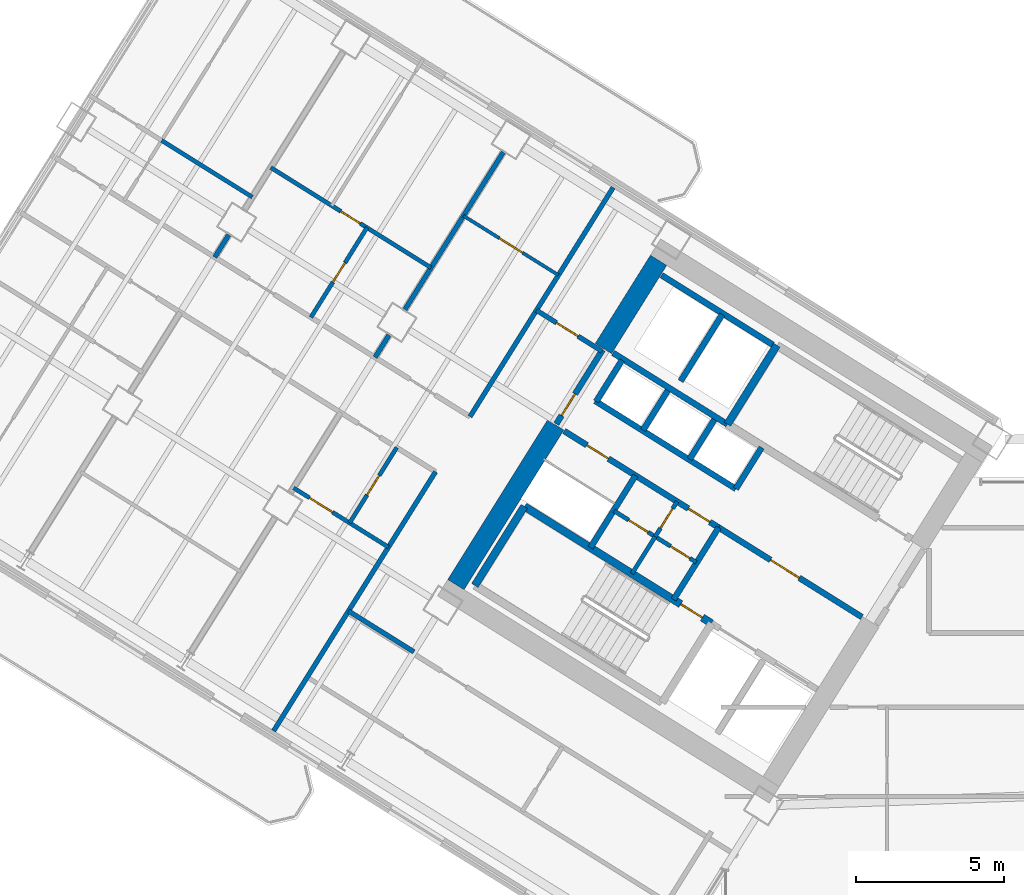
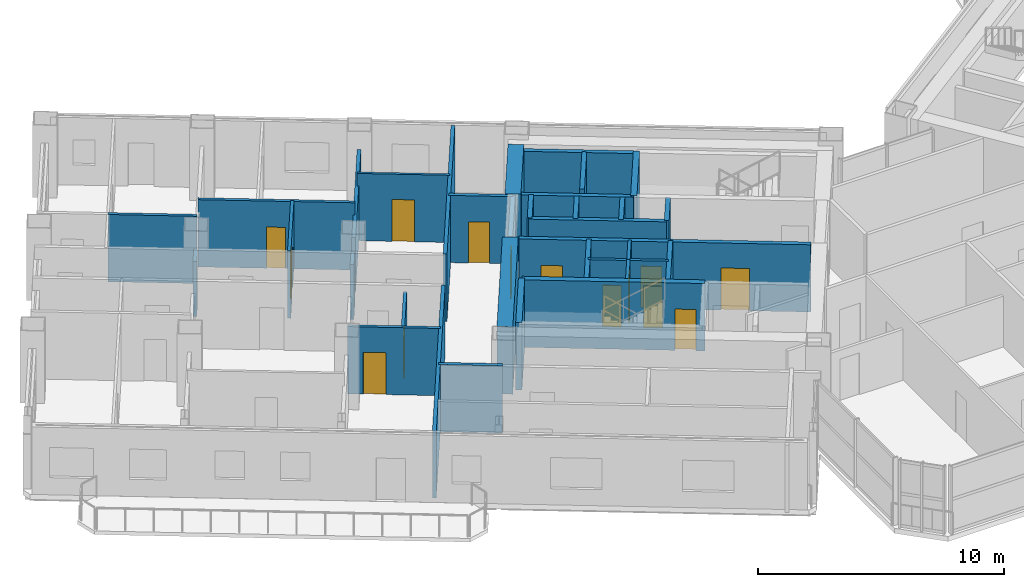
# One storey, part 16 of 28: 34 walls, 14 doors, 14 openings.
"""IFC4 building model written with IfcOpenShell, lengths in metres."""

from ifc_helpers import new_model, si_unit, direction, frame, frame_2d, origin, place, context, subcontext, project, spatial, rectangle, extrude, source, transform, mapped, material, layer, layer_set, type_object, element, fill, save


model = new_model("IFC4")

# Units and contexts
model_context = context("Model", 3, precision=1e-05, world=origin(), true_north=direction((0.0, 1.0)))
body_context = subcontext(model_context, "Body", "Model", "MODEL_VIEW")
ifc_project = project(units=[si_unit("LENGTHUNIT", "METRE"), si_unit("AREAUNIT", "SQUARE_METRE"), si_unit("VOLUMEUNIT", "CUBIC_METRE"), si_unit("PLANEANGLEUNIT", "RADIAN"), si_unit("MASSUNIT", "GRAM", prefix="KILO")], contexts=[model_context])

# Site, building, storey
site_placement = place(None, origin())
site = spatial("IfcSite", under=ifc_project, at=site_placement, CompositionType="ELEMENT")
building_placement = place(site_placement, origin())
building = spatial("IfcBuilding", under=site, at=building_placement, Name="Tlacorven Tower", CompositionType="ELEMENT")
storey_placement = place(building_placement, frame((0.0, 0.0, 49.199951171875)))
storey = spatial("IfcBuildingStorey", under=building, at=storey_placement, Name="L12", CompositionType="ELEMENT", Elevation=49.199951171875)

# Walls
ifc_material_1 = material(Name="Concrete C60/75", Category="concrete")
ifc_layer_1 = layer(ifc_material_1, 0.64990234375)
ifc_layer_set_1 = layer_set([ifc_layer_1], Name="Concrete C60/75")
wall_type_1 = type_object("IfcWallType", Name="WL-COR-650", PredefinedType="SHEAR", material=ifc_layer_set_1)
wall_1_placement = place(storey_placement, frame((29.49072265625, 30.5517578125, 0.0), z_axis=(0.0, 0.0, 1.0), x_axis=(-0.529893103397, -0.8480644427, 0.0)))
element("IfcWall", 1, at=wall_1_placement, inside=storey, type_object=wall_type_1, Name="L12 W core end wall E2.1", PredefinedType="SHEAR", context=body_context, shape_type="SweptSolid", body=[
    extrude(rectangle(XDim=3.525146484375, YDim=0.64990234375, at=frame_2d((1.7626953125, 0.0))), origin(), (0.0, 0.0, 1.0), 3.35009765625),
])
wall_2_placement = place(storey_placement, frame((26.006591796875, 24.975830078125, 0.0), z_axis=(0.0, 0.0, 1.0), x_axis=(-0.529916319127, -0.848049936456, 0.0)))
element("IfcWall", 2, at=wall_2_placement, inside=storey, type_object=wall_type_1, Name="L12 W core end wall E2.2", PredefinedType="SHEAR", context=body_context, shape_type="SweptSolid", body=[
    extrude(rectangle(XDim=6.375, YDim=0.64990234375, at=frame_2d((3.1875, 0.0))), origin(), (0.0, 0.0, 1.0), 3.35009765625),
])

# Wall, opening, door
ifc_material_2 = material(Name="Gypsum plasterboard acoustic partition", Category="gypsum")
ifc_layer_2 = layer(ifc_material_2, 0.159912109375)
ifc_layer_set_2 = layer_set([ifc_layer_2], Name="Gypsum plasterboard acoustic partition")
wall_type_2 = type_object("IfcWallType", Name="WL-DEM-160", PredefinedType="PARTITIONING", material=ifc_layer_set_2)
wall_3_placement = place(storey_placement, frame((27.56982421875, 27.4775390625, 0.0), z_axis=(0.0, 0.0, 1.0), x_axis=(-0.848050851465, 0.529914854792, 0.0)))
wall_3 = element("IfcWall", 3, at=wall_3_placement, inside=storey, type_object=wall_type_2, Name="L12 partition 49", PredefinedType="PARTITIONING", context=body_context, shape_type="SweptSolid", body=[
    extrude(rectangle(XDim=2.60986328125, YDim=0.159912109375, at=frame_2d((1.304931640625, 0.0))), origin(), (0.0, 0.0, 1.0), 3.340087890625),
])
opening_1_placement = place(wall_3_placement, frame((0.949951171875, 0.0, 0.0)))
opening_1 = element("IfcOpeningElement", 4, at=opening_1_placement, cuts=wall_3, Name="Opening D19", PredefinedType="OPENING", context=body_context, shape_type="SweptSolid", body=[
    extrude(rectangle(XDim=0.860107421875, YDim=2.050048828125, at=frame_2d((0.43017578125, 1.02490234375))), frame((0.0, 0.08984375, 0.0), z_axis=(0.0, -1.0, 0.0), x_axis=(1.0, 0.0, 0.0)), (0.0, 0.0, 1.0), 0.179931640625),
])
ifc_material_3 = material(Name="Fire-rated steel door assembly", Category="steel")
door_type_1 = type_object("IfcDoorType", Name="DR-RSR-FD60-0860", OperationType="NOTDEFINED", PredefinedType="DOOR", material=ifc_material_3)
shared_shape_1 = source(origin(), body_context, "Body", "SweptSolid", [
    extrude(rectangle(XDim=0.860107421875, YDim=2.050048828125, at=frame_2d((0.43017578125, 1.02490234375))), frame((0.0, 0.02490234375, 0.0), z_axis=(0.0, -1.0, 0.0), x_axis=(1.0, 0.0, 0.0)), (0.0, 0.0, 1.0), 0.050048828125),
])
door_1_placement = place(opening_1_placement, frame((0.860107421875, 0.0, 0.0), z_axis=(0.0, 0.0, 1.0), x_axis=(-1.0, 0.0, 0.0)))
door_1 = element("IfcDoor", 5, at=door_1_placement, inside=storey, type_object=door_type_1, Name="L12 door 021", OperationType="SINGLE_SWING_RIGHT", OverallHeight=2.050048828125, OverallWidth=0.860107421875, PredefinedType="DOOR", context=body_context, shape_type="MappedRepresentation", body=[
    mapped(shared_shape_1, transform((0.0, 0.0, 0.0), scale=1.0)),
])
fill(opening_1, door_1)

# Walls
wall_4_placement = place(storey_placement, frame((21.20556640625, 17.29248046875, 0.0), z_axis=(0.0, 0.0, 1.0), x_axis=(-0.848050851465, 0.529914854792, 0.0)))
element("IfcWall", 6, at=wall_4_placement, inside=storey, type_object=wall_type_2, Name="L12 partition 50", PredefinedType="PARTITIONING", context=body_context, shape_type="SweptSolid", body=[
    extrude(rectangle(XDim=2.60986328125, YDim=0.159912109375, at=frame_2d((1.304931640625, 0.0))), origin(), (0.0, 0.0, 1.0), 3.340087890625),
])
wall_5_placement = place(storey_placement, frame((27.952880859375, 33.01611328125, 0.0), z_axis=(0.0, 0.0, 1.0), x_axis=(-0.529903001606, -0.848058257957, 0.0)))
element("IfcWall", 7, at=wall_5_placement, inside=storey, type_object=wall_type_2, Name="L12 partition 51", PredefinedType="PARTITIONING", context=body_context, shape_type="SweptSolid", body=[
    extrude(rectangle(XDim=9.150146484375, YDim=0.159912109375, at=frame_2d((4.5751953125, 0.0))), origin(), (0.0, 0.0, 1.0), 3.340087890625),
])
wall_6_placement = place(storey_placement, frame((21.9384765625, 23.390625, 0.0), z_axis=(0.0, 0.0, 1.0), x_axis=(-0.529924725692, -0.848044683434, 0.0)))
element("IfcWall", 8, at=wall_6_placement, inside=storey, type_object=wall_type_2, Name="L12 partition 52", PredefinedType="PARTITIONING", context=body_context, shape_type="SweptSolid", body=[
    extrude(rectangle(XDim=10.349853515625, YDim=0.159912109375, at=frame_2d((5.1748046875, 0.0))), origin(), (0.0, 0.0, 1.0), 3.340087890625),
])
wall_7_placement = place(storey_placement, frame((24.22900390625, 34.208740234375, 0.0), z_axis=(0.0, 0.0, 1.0), x_axis=(-0.529897533635, -0.848061674554, 0.0)))
element("IfcWall", 9, at=wall_7_placement, inside=storey, type_object=wall_type_2, Name="L12 WS Demising Wall 1", PredefinedType="PARTITIONING", context=body_context, shape_type="SweptSolid", body=[
    extrude(rectangle(XDim=6.276123046875, YDim=0.159912109375, at=frame_2d((3.13818359375, 0.0))), origin(), (0.0, 0.0, 1.0), 2.72509765625),
])
for number, where, z_axis, x_axis, name in (
    (10, (20.360595703125, 28.017822265625, 0.0), (0.0, 0.0, 1.0), (-0.529900064649, -0.848060093086, 0.0), "L12 WS Demising Wall 1"),
    (11, (14.93310546875, 31.409423828125, 0.0), (0.0, 0.0, 1.0), (-0.529776512202, -0.848137280821, 0.0), "L12 WS Demising Wall 2"),
):
    element("IfcWall", number, at=place(storey_placement, frame(where, z_axis=z_axis, x_axis=x_axis)), inside=storey, type_object=wall_type_2, Name=name, PredefinedType="PARTITIONING", context=body_context, shape_type="SweptSolid", body=[
        extrude(rectangle(XDim=0.887939453125, YDim=0.159912109375, at=frame_2d((0.44384765625, 0.0))), origin(), (0.0, 0.0, 1.0), 2.72509765625),
    ])

# Wall, opening, door
ifc_material_4 = material(Name="Gypsum plasterboard partition", Category="gypsum")
ifc_layer_3 = layer(ifc_material_4, 0.110107421875)
ifc_layer_set_3 = layer_set([ifc_layer_3], Name="Gypsum plasterboard partition")
wall_type_3 = type_object("IfcWallType", Name="WL-INT-110", PredefinedType="PARTITIONING", material=ifc_layer_set_3)
wall_8_placement = place(storey_placement, frame((26.099365234375, 30.049560546875, 0.0), z_axis=(0.0, 0.0, 1.0), x_axis=(-0.84803087207, 0.529946827537, 0.0)))
wall_8 = element("IfcWall", 12, at=wall_8_placement, inside=storey, type_object=wall_type_3, Name="L12 partition 66", PredefinedType="PARTITIONING", context=body_context, shape_type="SweptSolid", body=[
    extrude(rectangle(XDim=3.7900390625, YDim=0.110107421875, at=frame_2d((1.89501953125, 0.0))), origin(), (0.0, 0.0, 1.0), 3.340087890625),
])
opening_2_placement = place(wall_8_placement, frame((1.43505859375, 0.0, 0.0)))
opening_2 = element("IfcOpeningElement", 13, at=opening_2_placement, cuts=wall_8, Name="Opening D12", PredefinedType="OPENING", context=body_context, shape_type="SweptSolid", body=[
    extrude(rectangle(XDim=0.919921875, YDim=2.080078125, at=frame_2d((0.4599609375, 1.0400390625))), frame((0.0, 0.06494140625, 0.0), z_axis=(0.0, -1.0, 0.0), x_axis=(1.0, 0.0, 0.0)), (0.0, 0.0, 1.0), 0.130126953125),
])
ifc_material_5 = material(Name="Powder-coated aluminium and timber door", Category="wood")
door_type_2 = type_object("IfcDoorType", Name="DR-INT-ROOM-0920", OperationType="NOTDEFINED", PredefinedType="DOOR", material=ifc_material_5)
shared_shape_2 = source(origin(), body_context, "Body", "SweptSolid", [
    extrude(rectangle(XDim=0.919921875, YDim=2.080078125, at=frame_2d((0.4599609375, 1.0400390625))), frame((0.0, 0.02490234375, 0.0), z_axis=(0.0, -1.0, 0.0), x_axis=(1.0, 0.0, 0.0)), (0.0, 0.0, 1.0), 0.050048828125),
])
door_2_placement = place(opening_2_placement, origin())
door_2 = element("IfcDoor", 14, at=door_2_placement, inside=storey, type_object=door_type_2, Name="L12 door 034", OperationType="SINGLE_SWING_RIGHT", OverallHeight=2.080078125, OverallWidth=0.919921875, PredefinedType="DOOR", context=body_context, shape_type="MappedRepresentation", body=[
    mapped(shared_shape_2, transform((0.0, 0.0, 0.0), scale=1.0)),
])
fill(opening_2, door_2)

ifc_material_6 = material(Name="Moisture-resistant gypsum plumbing wall", Category="gypsum")
ifc_layer_4 = layer(ifc_material_6, 0.139892578125)
ifc_layer_set_4 = layer_set([ifc_layer_4], Name="Moisture-resistant gypsum plumbing wall")
wall_type_4 = type_object("IfcWallType", Name="WL-PLM-140", PredefinedType="PLUMBINGWALL", material=ifc_layer_set_4)
wall_9_placement = place(storey_placement, frame((30.117431640625, 22.383544921875, 0.0), z_axis=(0.0, 0.0, 1.0), x_axis=(-0.529951914384, -0.848027693204, 0.0)))
wall_9 = element("IfcWall", 15, at=wall_9_placement, inside=storey, type_object=wall_type_4, Name="L12 partition 23", PredefinedType="PLUMBINGWALL", context=body_context, shape_type="SweptSolid", body=[
    extrude(rectangle(XDim=1.39990234375, YDim=0.139892578125, at=frame_2d((0.699951171875, 0.0))), origin(), (0.0, 0.0, 1.0), 3.340087890625),
])
opening_3_placement = place(wall_9_placement, frame((0.280029296875, 0.0, 0.0)))
opening_3 = element("IfcOpeningElement", 16, at=opening_3_placement, cuts=wall_9, Name="Opening D22", PredefinedType="OPENING", context=body_context, shape_type="SweptSolid", body=[
    extrude(rectangle(XDim=0.780029296875, YDim=2.050048828125, at=frame_2d((0.39013671875, 1.02490234375))), frame((0.0, 0.080078125, 0.0), z_axis=(0.0, -1.0, 0.0), x_axis=(1.0, 0.0, 0.0)), (0.0, 0.0, 1.0), 0.159912109375),
])
door_type_3 = type_object("IfcDoorType", Name="DR-INT-WET-0780", OperationType="NOTDEFINED", PredefinedType="DOOR", material=ifc_material_5)
shared_shape_3 = source(origin(), body_context, "Body", "SweptSolid", [
    extrude(rectangle(XDim=0.780029296875, YDim=2.050048828125, at=frame_2d((0.39013671875, 1.02490234375))), frame((0.0, 0.02490234375, 0.0), z_axis=(0.0, -1.0, 0.0), x_axis=(1.0, 0.0, 0.0)), (0.0, 0.0, 1.0), 0.050048828125),
])
door_3_placement = place(opening_3_placement, origin())
door_3 = element("IfcDoor", 17, at=door_3_placement, inside=storey, type_object=door_type_3, Name="L12 door 008", OperationType="SINGLE_SWING_LEFT", OverallHeight=2.050048828125, OverallWidth=0.780029296875, PredefinedType="DOOR", context=body_context, shape_type="MappedRepresentation", body=[
    mapped(shared_shape_3, transform((0.0, 0.0, 0.0), scale=1.0)),
])
fill(opening_3, door_3)

# Wall
wall_10_placement = place(storey_placement, frame((29.37548828125, 21.1962890625, 0.0), z_axis=(0.0, 0.0, 1.0), x_axis=(-0.529865479138, -0.848081702443, 0.0)))
element("IfcWall", 18, at=wall_10_placement, inside=storey, type_object=wall_type_4, Name="L12 partition 24", PredefinedType="PLUMBINGWALL", context=body_context, shape_type="SweptSolid", body=[
    extrude(rectangle(XDim=1.47998046875, YDim=0.139892578125, at=frame_2d((0.739990234375, 0.0))), origin(), (0.0, 0.0, 1.0), 3.340087890625),
])

# Wall, openings, doors
wall_11_placement = place(storey_placement, frame((30.766357421875, 20.3271484375, 0.0), z_axis=(0.0, 0.0, 1.0), x_axis=(-0.848052663127, 0.529911955482, 0.0)))
wall_11 = element("IfcWall", 19, at=wall_11_placement, inside=storey, type_object=wall_type_4, Name="L12 partition 25", PredefinedType="PLUMBINGWALL", context=body_context, shape_type="SweptSolid", body=[
    extrude(rectangle(XDim=3.27978515625, YDim=0.139892578125, at=frame_2d((1.639892578125, 0.0))), origin(), (0.0, 0.0, 1.0), 3.340087890625),
])
opening_4_placement = place(wall_11_placement, frame((0.25, 0.0, 0.0)))
opening_4 = element("IfcOpeningElement", 20, at=opening_4_placement, cuts=wall_11, Name="Opening D22", PredefinedType="OPENING", context=body_context, shape_type="SweptSolid", body=[
    extrude(rectangle(XDim=0.780029296875, YDim=2.050048828125, at=frame_2d((0.39013671875, 1.02490234375))), frame((0.0, 0.080078125, 0.0), z_axis=(0.0, -1.0, 0.0), x_axis=(1.0, 0.0, 0.0)), (0.0, 0.0, 1.0), 0.159912109375),
])
opening_5_placement = place(wall_11_placement, frame((1.919921875, 0.0, 0.0)))
opening_5 = element("IfcOpeningElement", 21, at=opening_5_placement, cuts=wall_11, Name="Opening D22", PredefinedType="OPENING", context=body_context, shape_type="SweptSolid", body=[
    extrude(rectangle(XDim=0.780029296875, YDim=2.050048828125, at=frame_2d((0.39013671875, 1.02490234375))), frame((0.0, 0.080078125, 0.0), z_axis=(0.0, -1.0, 0.0), x_axis=(1.0, 0.0, 0.0)), (0.0, 0.0, 1.0), 0.159912109375),
])
door_4_placement = place(opening_4_placement, origin())
door_4 = element("IfcDoor", 22, at=door_4_placement, inside=storey, type_object=door_type_3, Name="L12 door 009", OperationType="SINGLE_SWING_RIGHT", OverallHeight=2.050048828125, OverallWidth=0.780029296875, PredefinedType="DOOR", context=body_context, shape_type="MappedRepresentation", body=[
    mapped(shared_shape_3, transform((0.0, 0.0, 0.0), scale=1.0)),
])
fill(opening_4, door_4)
door_5_placement = place(opening_5_placement, origin())
door_5 = element("IfcDoor", 23, at=door_5_placement, inside=storey, type_object=door_type_3, Name="L12 door 010", OperationType="SINGLE_SWING_LEFT", OverallHeight=2.050048828125, OverallWidth=0.780029296875, PredefinedType="DOOR", context=body_context, shape_type="MappedRepresentation", body=[
    mapped(shared_shape_3, transform((0.0, 0.0, 0.0), scale=1.0)),
])
fill(opening_5, door_5)

# Wall, opening, door
wall_12_placement = place(storey_placement, frame((20.34326171875, 20.838134765625, 0.0), z_axis=(0.0, 0.0, 1.0), x_axis=(-0.848059820872, 0.529900500304, 0.0)))
wall_12 = element("IfcWall", 24, at=wall_12_placement, inside=storey, type_object=wall_type_4, Name="L12 partition 57", PredefinedType="PLUMBINGWALL", context=body_context, shape_type="SweptSolid", body=[
    extrude(rectangle(XDim=3.7900390625, YDim=0.139892578125, at=frame_2d((1.89501953125, 0.0))), origin(), (0.0, 0.0, 1.0), 3.340087890625),
])
opening_6_placement = place(wall_12_placement, frame((2.22998046875, 0.0, 0.0)))
opening_6 = element("IfcOpeningElement", 25, at=opening_6_placement, cuts=wall_12, Name="Opening D12", PredefinedType="OPENING", context=body_context, shape_type="SweptSolid", body=[
    extrude(rectangle(XDim=0.919921875, YDim=2.080078125, at=frame_2d((0.4599609375, 1.0400390625))), frame((0.0, 0.080078125, 0.0), z_axis=(0.0, -1.0, 0.0), x_axis=(1.0, 0.0, 0.0)), (0.0, 0.0, 1.0), 0.159912109375),
])
door_6_placement = place(opening_6_placement, origin())
door_6 = element("IfcDoor", 26, at=door_6_placement, inside=storey, type_object=door_type_2, Name="L12 door 024", OperationType="SINGLE_SWING_LEFT", OverallHeight=2.080078125, OverallWidth=0.919921875, PredefinedType="DOOR", context=body_context, shape_type="MappedRepresentation", body=[
    mapped(shared_shape_2, transform((0.0, 0.0, 0.0), scale=1.0)),
])
fill(opening_6, door_6)

wall_13_placement = place(storey_placement, frame((20.6240234375, 24.212158203125, 0.0), z_axis=(0.0, 0.0, 1.0), x_axis=(-0.529940615993, -0.848034753722, 0.0)))
wall_13 = element("IfcWall", 27, at=wall_13_placement, inside=storey, type_object=wall_type_4, Name="L12 partition 58", PredefinedType="PLUMBINGWALL", context=body_context, shape_type="SweptSolid", body=[
    extrude(rectangle(XDim=3.01025390625, YDim=0.139892578125, at=frame_2d((1.505126953125, 0.0))), origin(), (0.0, 0.0, 1.0), 2.9951171875),
])
opening_7_placement = place(wall_13_placement, frame((1.114990234375, 0.0, 0.0)))
opening_7 = element("IfcOpeningElement", 28, at=opening_7_placement, cuts=wall_13, Name="Opening D22", PredefinedType="OPENING", context=body_context, shape_type="SweptSolid", body=[
    extrude(rectangle(XDim=0.780029296875, YDim=2.050048828125, at=frame_2d((0.39013671875, 1.02490234375))), frame((0.0, 0.080078125, 0.0), z_axis=(0.0, -1.0, 0.0), x_axis=(1.0, 0.0, 0.0)), (0.0, 0.0, 1.0), 0.159912109375),
])
door_7_placement = place(opening_7_placement, origin())
door_7 = element("IfcDoor", 29, at=door_7_placement, inside=storey, type_object=door_type_3, Name="L12 door 025", OperationType="SINGLE_SWING_LEFT", OverallHeight=2.050048828125, OverallWidth=0.780029296875, PredefinedType="DOOR", context=body_context, shape_type="MappedRepresentation", body=[
    mapped(shared_shape_3, transform((0.0, 0.0, 0.0), scale=1.0)),
])
fill(opening_7, door_7)

wall_14_placement = place(storey_placement, frame((21.787353515625, 30.30078125, 0.0), z_axis=(0.0, 0.0, 1.0), x_axis=(-0.848049732085, 0.529916646191, 0.0)))
wall_14 = element("IfcWall", 30, at=wall_14_placement, inside=storey, type_object=wall_type_4, Name="L12 partition 68", PredefinedType="PLUMBINGWALL", context=body_context, shape_type="SweptSolid", body=[
    extrude(rectangle(XDim=6.400146484375, YDim=0.139892578125, at=frame_2d((3.2001953125, 0.0))), origin(), (0.0, 0.0, 1.0), 3.340087890625),
])
opening_8_placement = place(wall_14_placement, frame((2.823974609375, 0.0, 0.0)))
opening_8 = element("IfcOpeningElement", 31, at=opening_8_placement, cuts=wall_14, Name="Opening D22", PredefinedType="OPENING", context=body_context, shape_type="SweptSolid", body=[
    extrude(rectangle(XDim=0.780029296875, YDim=2.050048828125, at=frame_2d((0.39013671875, 1.02490234375))), frame((0.0, 0.080078125, 0.0), z_axis=(0.0, -1.0, 0.0), x_axis=(1.0, 0.0, 0.0)), (0.0, 0.0, 1.0), 0.159912109375),
])
door_8_placement = place(opening_8_placement, origin())
door_8 = element("IfcDoor", 32, at=door_8_placement, inside=storey, type_object=door_type_3, Name="L12 door 037", OperationType="SINGLE_SWING_LEFT", OverallHeight=2.050048828125, OverallWidth=0.780029296875, PredefinedType="DOOR", context=body_context, shape_type="MappedRepresentation", body=[
    mapped(shared_shape_3, transform((0.0, 0.0, 0.0), scale=1.0)),
])
fill(opening_8, door_8)

wall_15_placement = place(storey_placement, frame((19.6162109375, 31.657470703125, 0.0), z_axis=(0.0, 0.0, 1.0), x_axis=(-0.529876336437, -0.84807491891, 0.0)))
wall_15 = element("IfcWall", 33, at=wall_15_placement, inside=storey, type_object=wall_type_4, Name="L12 partition 69", PredefinedType="PLUMBINGWALL", context=body_context, shape_type="SweptSolid", body=[
    extrude(rectangle(XDim=3.580078125, YDim=0.139892578125, at=frame_2d((1.7900390625, 0.0))), origin(), (0.0, 0.0, 1.0), 3.340087890625),
])
opening_9_placement = place(wall_15_placement, frame((1.39990234375, 0.0, 0.0)))
opening_9 = element("IfcOpeningElement", 34, at=opening_9_placement, cuts=wall_15, Name="Opening D22", PredefinedType="OPENING", context=body_context, shape_type="SweptSolid", body=[
    extrude(rectangle(XDim=0.780029296875, YDim=2.050048828125, at=frame_2d((0.39013671875, 1.02490234375))), frame((0.0, 0.080078125, 0.0), z_axis=(0.0, -1.0, 0.0), x_axis=(1.0, 0.0, 0.0)), (0.0, 0.0, 1.0), 0.159912109375),
])
door_9_placement = place(opening_9_placement, origin())
door_9 = element("IfcDoor", 35, at=door_9_placement, inside=storey, type_object=door_type_3, Name="L12 door 038", OperationType="SINGLE_SWING_RIGHT", OverallHeight=2.050048828125, OverallWidth=0.780029296875, PredefinedType="DOOR", context=body_context, shape_type="MappedRepresentation", body=[
    mapped(shared_shape_3, transform((0.0, 0.0, 0.0), scale=1.0)),
])
fill(opening_9, door_9)

# Wall
wall_16_placement = place(storey_placement, frame((15.734375, 32.691650390625, 0.0), z_axis=(0.0, 0.0, 1.0), x_axis=(-0.848051346257, 0.52991406295, 0.0)))
element("IfcWall", 36, at=wall_16_placement, inside=storey, type_object=wall_type_4, Name="L12 partition 74", PredefinedType="PLUMBINGWALL", context=body_context, shape_type="SweptSolid", body=[
    extrude(rectangle(XDim=3.619873046875, YDim=0.139892578125, at=frame_2d((1.81005859375, 0.0))), origin(), (0.0, 0.0, 1.0), 3.340087890625),
])

# Wall, opening, door
ifc_material_7 = material(Name="Concrete C40/50", Category="concrete")
ifc_layer_5 = layer(ifc_material_7, 0.199951171875)
ifc_layer_set_5 = layer_set([ifc_layer_5], Name="Concrete C40/50")
wall_type_5 = type_object("IfcWallType", Name="WL-SHF-200", PredefinedType="STANDARD", material=ifc_layer_set_5)
wall_17_placement = place(storey_placement, frame((36.374267578125, 18.4736328125, 0.0), z_axis=(0.0, 0.0, 1.0), x_axis=(-0.848051071577, 0.529914502535, 0.0)))
wall_17 = element("IfcWall", 37, at=wall_17_placement, inside=storey, type_object=wall_type_5, Name="L12 Core W Smoke Lobby Wall", PredefinedType="STANDARD", context=body_context, shape_type="SweptSolid", body=[
    extrude(rectangle(XDim=5.718017578125, YDim=0.199951171875, at=frame_2d((2.85888671875, 0.0))), origin(), (0.0, 0.0, 1.0), 3.340087890625),
])
opening_10_placement = place(wall_17_placement, frame((2.498046875, 0.0, 0.0)))
opening_10 = element("IfcOpeningElement", 38, at=opening_10_placement, cuts=wall_17, Name="Opening D09", PredefinedType="OPENING", context=body_context, shape_type="SweptSolid", body=[
    extrude(rectangle(XDim=1.14990234375, YDim=2.10009765625, at=frame_2d((0.574951171875, 1.050048828125))), frame((0.0, 0.10986328125, 0.0), z_axis=(0.0, -1.0, 0.0), x_axis=(1.0, 0.0, 0.0)), (0.0, 0.0, 1.0), 0.219970703125),
])
door_type_4 = type_object("IfcDoorType", Name="DR-FFL-FD60-1150", OperationType="NOTDEFINED", PredefinedType="DOOR", material=ifc_material_3)
shared_shape_4 = source(origin(), body_context, "Body", "SweptSolid", [
    extrude(rectangle(XDim=1.14990234375, YDim=2.10009765625, at=frame_2d((0.574951171875, 1.050048828125))), frame((0.0, 0.02490234375, 0.0), z_axis=(0.0, -1.0, 0.0), x_axis=(1.0, 0.0, 0.0)), (0.0, 0.0, 1.0), 0.050048828125),
])
door_10_placement = place(opening_10_placement, origin())
door_10 = element("IfcDoor", 39, at=door_10_placement, inside=storey, type_object=door_type_4, Name="L12 Firefighting Lobby W Fire Door", OperationType="SINGLE_SWING_RIGHT", OverallHeight=2.10009765625, OverallWidth=1.14990234375, PredefinedType="DOOR", context=body_context, shape_type="MappedRepresentation", body=[
    mapped(shared_shape_4, transform((0.0, 0.0, 0.0), scale=1.0)),
])
fill(opening_10, door_10)

# Walls
wall_18_placement = place(storey_placement, frame((31.82177734375, 24.99755859375, 0.0), z_axis=(0.0, 0.0, 1.0), x_axis=(-0.848058348634, 0.529902856485, 0.0)))
element("IfcWall", 40, at=wall_18_placement, inside=storey, type_object=wall_type_5, Name="L12 Core W South Lift Shaft Wall", PredefinedType="STANDARD", context=body_context, shape_type="SweptSolid", body=[
    extrude(rectangle(XDim=4.568115234375, YDim=0.199951171875, at=frame_2d((2.2841796875, 0.0))), origin(), (0.0, 0.0, 1.0), 3.340087890625),
])
wall_19_placement = place(storey_placement, frame((32.108154296875, 22.81396484375, 0.0), z_axis=(0.0, 0.0, 1.0), x_axis=(-0.848042229521, 0.529928652696, 0.0)))
element("IfcWall", 41, at=wall_19_placement, inside=storey, type_object=wall_type_5, Name="L12 partition 11", PredefinedType="STANDARD", context=body_context, shape_type="SweptSolid", body=[
    extrude(rectangle(XDim=5.6201171875, YDim=0.199951171875, at=frame_2d((2.81005859375, 0.0))), origin(), (0.0, 0.0, 1.0), 3.340087890625),
])
wall_20_placement = place(storey_placement, frame((32.982421875, 24.21337890625, 0.0), z_axis=(0.0, 0.0, 1.0), x_axis=(-0.529839334948, -0.84809803628, 0.0)))
element("IfcWall", 42, at=wall_20_placement, inside=storey, type_object=wall_type_5, Name="L12 partition 12", PredefinedType="STANDARD", context=body_context, shape_type="SweptSolid", body=[
    extrude(rectangle(XDim=1.650146484375, YDim=0.199951171875, at=frame_2d((0.8251953125, 0.0))), origin(), (0.0, 0.0, 1.0), 3.340087890625),
])
wall_21_placement = place(storey_placement, frame((28.250244140625, 27.170166015625, 0.0), z_axis=(0.0, 0.0, 1.0), x_axis=(-0.529905827651, -0.848056492117, 0.0)))
element("IfcWall", 43, at=wall_21_placement, inside=storey, type_object=wall_type_5, Name="L12 partition 13", PredefinedType="STANDARD", context=body_context, shape_type="SweptSolid", body=[
    extrude(rectangle(XDim=1.64990234375, YDim=0.199951171875, at=frame_2d((0.824951171875, 0.0))), origin(), (0.0, 0.0, 1.0), 3.340087890625),
])
wall_22_placement = place(storey_placement, frame((31.645263671875, 28.716064453125, 0.0), z_axis=(0.0, 0.0, 1.0), x_axis=(-0.52986693015, -0.848080795876, 0.0)))
element("IfcWall", 44, at=wall_22_placement, inside=storey, type_object=wall_type_5, Name="L12 partition 15", PredefinedType="STANDARD", context=body_context, shape_type="SweptSolid", body=[
    extrude(rectangle(XDim=2.659912109375, YDim=0.199951171875, at=frame_2d((1.330078125, 0.0))), origin(), (0.0, 0.0, 1.0), 3.340087890625),
])
wall_23_placement = place(storey_placement, frame((33.362548828125, 27.690185546875, 0.0), z_axis=(0.0, 0.0, 1.0), x_axis=(-0.848053806312, 0.529910125964, 0.0)))
element("IfcWall", 45, at=wall_23_placement, inside=storey, type_object=wall_type_5, Name="L12 partition 17", PredefinedType="STANDARD", context=body_context, shape_type="SweptSolid", body=[
    extrude(rectangle(XDim=4.44775390625, YDim=0.199951171875, at=frame_2d((2.223876953125, 0.0))), origin(), (0.0, 0.0, 1.0), 3.340087890625),
])
for number, where, z_axis, x_axis, name in (
    (46, (31.378662109375, 25.156494140625, 0.0), (0.0, 0.0, 1.0), (-0.529998940003, -0.847998304005, 0.0), "L12 partition 18"),
    (47, (29.80126953125, 26.14208984375, 0.0), (0.0, 0.0, 1.0), (-0.529998940003, -0.847998304005, 0.0), "L12 partition 19"),
):
    element("IfcWall", number, at=place(storey_placement, frame(where, z_axis=z_axis, x_axis=x_axis)), inside=storey, type_object=wall_type_5, Name=name, PredefinedType="STANDARD", context=body_context, shape_type="SweptSolid", body=[
        extrude(rectangle(XDim=1.580078125, YDim=0.199951171875, at=frame_2d((0.7900390625, 0.0))), origin(), (0.0, 0.0, 1.0), 3.340087890625),
    ])
for number, where, z_axis, x_axis, name in (
    (48, (31.525146484375, 21.503662109375, 0.0), (0.0, 0.0, 1.0), (-0.529907497854, -0.848055448493, 0.0), "L12 partition 20"),
    (49, (28.709716796875, 23.26318359375, 0.0), (0.0, 0.0, 1.0), (-0.529907497854, -0.848055448493, 0.0), "L12 partition 21"),
):
    element("IfcWall", number, at=place(storey_placement, frame(where, z_axis=z_axis, x_axis=x_axis)), inside=storey, type_object=wall_type_5, Name=name, PredefinedType="STANDARD", context=body_context, shape_type="SweptSolid", body=[
        extrude(rectangle(XDim=2.8798828125, YDim=0.199951171875, at=frame_2d((1.43994140625, 0.0))), origin(), (0.0, 0.0, 1.0), 3.340087890625),
    ])

# Wall, openings, doors
wall_24_placement = place(storey_placement, frame((31.525146484375, 21.503662109375, 0.0), z_axis=(0.0, 0.0, 1.0), x_axis=(-0.848044998614, 0.529924221305, 0.0)))
wall_24 = element("IfcWall", 50, at=wall_24_placement, inside=storey, type_object=wall_type_5, Name="L12 Core W North Service Wall", PredefinedType="STANDARD", context=body_context, shape_type="SweptSolid", body=[
    extrude(rectangle(XDim=6.16796875, YDim=0.199951171875, at=frame_2d((3.083984375, 0.0))), origin(), (0.0, 0.0, 1.0), 3.340087890625),
])
opening_11_placement = place(wall_24_placement, frame((4.39990234375, 0.0, 0.0)))
opening_11 = element("IfcOpeningElement", 51, at=opening_11_placement, cuts=wall_24, Name="Opening D19", PredefinedType="OPENING", context=body_context, shape_type="SweptSolid", body=[
    extrude(rectangle(XDim=0.860107421875, YDim=2.050048828125, at=frame_2d((0.43017578125, 1.02490234375))), frame((0.0, 0.10986328125, 0.0), z_axis=(0.0, -1.0, 0.0), x_axis=(1.0, 0.0, 0.0)), (0.0, 0.0, 1.0), 0.219970703125),
])
opening_12_placement = place(wall_24_placement, frame((0.35009765625, 0.0, 0.0)))
opening_12 = element("IfcOpeningElement", 52, at=opening_12_placement, cuts=wall_24, Name="Opening D19", PredefinedType="OPENING", context=body_context, shape_type="SweptSolid", body=[
    extrude(rectangle(XDim=0.860107421875, YDim=2.050048828125, at=frame_2d((0.43017578125, 1.02490234375))), frame((0.0, 0.10986328125, 0.0), z_axis=(0.0, -1.0, 0.0), x_axis=(1.0, 0.0, 0.0)), (0.0, 0.0, 1.0), 0.219970703125),
])
door_11_placement = place(opening_11_placement, frame((0.860107421875, 0.0, 0.0), z_axis=(0.0, 0.0, 1.0), x_axis=(-1.0, 0.0, 0.0)))
door_11 = element("IfcDoor", 53, at=door_11_placement, inside=storey, type_object=door_type_1, Name="L12 Electrical Riser Access Door W", OperationType="SINGLE_SWING_LEFT", OverallHeight=2.050048828125, OverallWidth=0.860107421875, PredefinedType="DOOR", context=body_context, shape_type="MappedRepresentation", body=[
    mapped(shared_shape_1, transform((0.0, 0.0, 0.0), scale=1.0)),
])
fill(opening_11, door_11)
door_12_placement = place(opening_12_placement, frame((0.860107421875, 0.0, 0.0), z_axis=(0.0, 0.0, 1.0), x_axis=(-1.0, 0.0, 0.0)))
door_12 = element("IfcDoor", 54, at=door_12_placement, inside=storey, type_object=door_type_1, Name="L12 Cleaning Room Access Door W", OperationType="SINGLE_SWING_RIGHT", OverallHeight=2.050048828125, OverallWidth=0.860107421875, PredefinedType="DOOR", context=body_context, shape_type="MappedRepresentation", body=[
    mapped(shared_shape_1, transform((0.0, 0.0, 0.0), scale=1.0)),
])
fill(opening_12, door_12)

# Wall, opening, door
wall_25_placement = place(storey_placement, frame((27.59619140625, 27.52001953125, 0.0), z_axis=(0.0, 0.0, 1.0), x_axis=(-0.529865479138, -0.848081702443, 0.0)))
wall_25 = element("IfcWall", 55, at=wall_25_placement, inside=storey, type_object=wall_type_5, Name="L12 partition 48", PredefinedType="STANDARD", context=body_context, shape_type="SweptSolid", body=[
    extrude(rectangle(XDim=2.9599609375, YDim=0.199951171875, at=frame_2d((1.47998046875, 0.0))), origin(), (0.0, 0.0, 1.0), 3.340087890625),
])
opening_13_placement = place(wall_25_placement, frame((1.760009765625, 0.0, 0.0)))
opening_13 = element("IfcOpeningElement", 56, at=opening_13_placement, cuts=wall_25, Name="Opening D19", PredefinedType="OPENING", context=body_context, shape_type="SweptSolid", body=[
    extrude(rectangle(XDim=0.860107421875, YDim=2.050048828125, at=frame_2d((0.43017578125, 1.02490234375))), frame((0.0, 0.10986328125, 0.0), z_axis=(0.0, -1.0, 0.0), x_axis=(1.0, 0.0, 0.0)), (0.0, 0.0, 1.0), 0.219970703125),
])
door_13_placement = place(opening_13_placement, origin())
door_13 = element("IfcDoor", 57, at=door_13_placement, inside=storey, type_object=door_type_1, Name="L12 door 022", OperationType="SINGLE_SWING_LEFT", OverallHeight=2.050048828125, OverallWidth=0.860107421875, PredefinedType="DOOR", context=body_context, shape_type="MappedRepresentation", body=[
    mapped(shared_shape_1, transform((0.0, 0.0, 0.0), scale=1.0)),
])
fill(opening_13, door_13)

ifc_material_8 = material(Name="Concrete C50/60", Category="concrete")
ifc_layer_6 = layer(ifc_material_8, 0.260009765625)
ifc_layer_set_6 = layer_set([ifc_layer_6], Name="Concrete C50/60")
wall_type_6 = type_object("IfcWallType", Name="WL-STW-260", PredefinedType="SHEAR", material=ifc_layer_set_6)
wall_26_placement = place(storey_placement, frame((31.279541015625, 18.26123046875, 0.0), z_axis=(0.0, 0.0, 1.0), x_axis=(-0.848051618787, 0.529913626805, 0.0)))
wall_26 = element("IfcWall", 58, at=wall_26_placement, inside=storey, type_object=wall_type_6, Name="L12 Stair W1 Lobby Shear Wall", PredefinedType="SHEAR", context=body_context, shape_type="SweptSolid", body=[
    extrude(rectangle(XDim=7.4599609375, YDim=0.260009765625, at=frame_2d((3.72998046875, 0.0))), origin(), (0.0, 0.0, 1.0), 3.35009765625),
])
opening_14_placement = place(wall_26_placement, frame((0.360107421875, 0.0, 0.0)))
opening_14 = element("IfcOpeningElement", 59, at=opening_14_placement, cuts=wall_26, Name="Opening D19", PredefinedType="OPENING", context=body_context, shape_type="SweptSolid", body=[
    extrude(rectangle(XDim=0.860107421875, YDim=2.050048828125, at=frame_2d((0.43017578125, 1.02490234375))), frame((0.0, 0.14013671875, 0.0), z_axis=(0.0, -1.0, 0.0), x_axis=(1.0, 0.0, 0.0)), (0.0, 0.0, 1.0), 0.280029296875),
])
door_14_placement = place(opening_14_placement, frame((0.860107421875, 0.0, 0.0), z_axis=(0.0, 0.0, 1.0), x_axis=(-1.0, 0.0, 0.0)))
door_14 = element("IfcDoor", 60, at=door_14_placement, inside=storey, type_object=door_type_1, Name="L12 Exit Stair W1 Fire Door", OperationType="SINGLE_SWING_LEFT", OverallHeight=2.050048828125, OverallWidth=0.860107421875, PredefinedType="DOOR", context=body_context, shape_type="MappedRepresentation", body=[
    mapped(shared_shape_1, transform((0.0, 0.0, 0.0), scale=1.0)),
])
fill(opening_14, door_14)

# Walls
for number, where, z_axis, x_axis, name in (
    (61, (24.944580078125, 22.2197265625, 0.0), (0.0, 0.0, 1.0), (-0.529908658664, -0.84805472316, 0.0), "L12 Stair W1 East Shear Wall"),
    (62, (33.496337890625, 27.677490234375, 0.0), (0.0, 0.0, 1.0), (-0.529908658664, -0.84805472316, 0.0), "L12 Stair W2 East Shear Wall"),
):
    element("IfcWall", number, at=place(storey_placement, frame(where, z_axis=z_axis, x_axis=x_axis)), inside=storey, type_object=wall_type_6, Name=name, PredefinedType="SHEAR", context=body_context, shape_type="SweptSolid", body=[
        extrude(rectangle(XDim=3.16015625, YDim=0.260009765625, at=frame_2d((1.580078125, 0.0))), origin(), (0.0, 0.0, 1.0), 3.35009765625),
    ])

save(model, "model.ifc")
